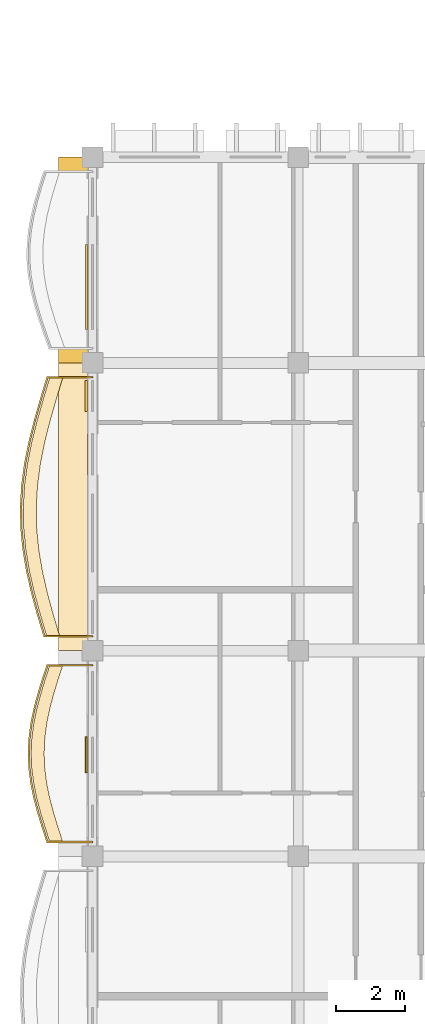
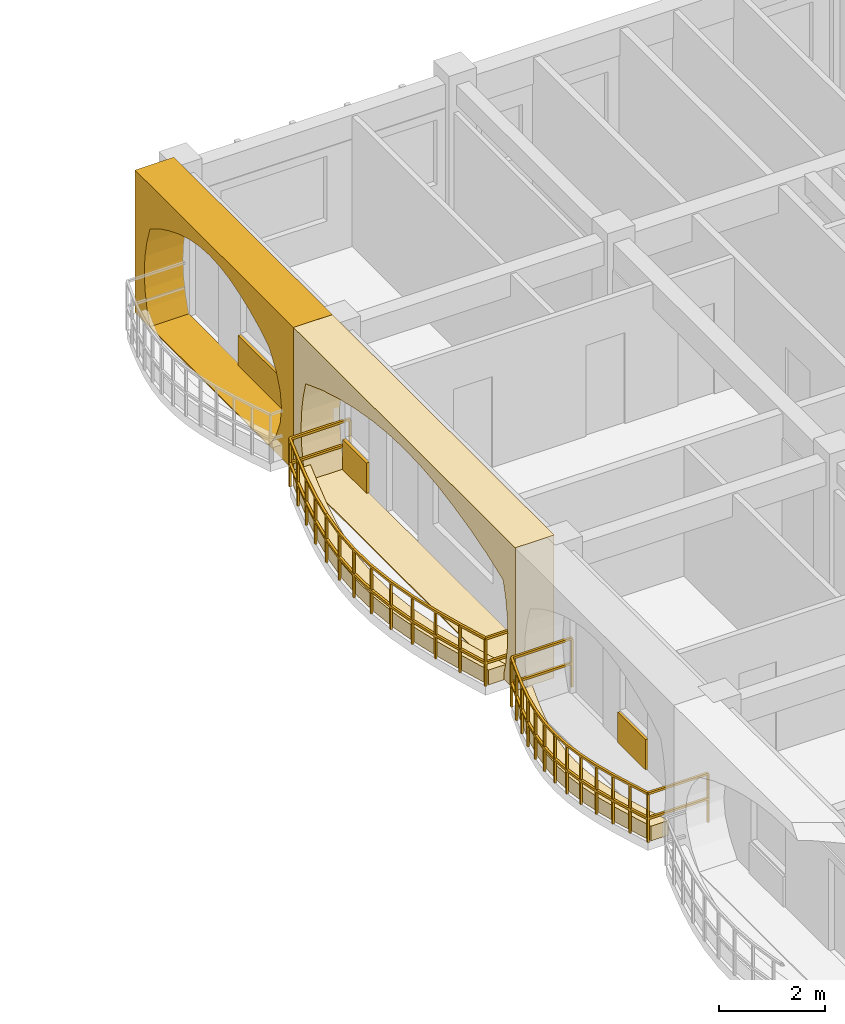
# One storey, part 46 of 70: 7 coverings, 2 railings.
"""IFC4 building model written with IfcOpenShell, lengths in metres."""

from ifc_helpers import new_model, si_unit, direction, frame, origin, origin_2d, place, context, subcontext, project, spatial, polyline, rectangle, outline, extrude, material, layer, layer_set, type_object, element, save


model = new_model("IFC4")

# Units and contexts
model_context = context("Model", 3, precision=1e-05, world=origin(), true_north=direction((0.0, 1.0)))
body_context = subcontext(model_context, "Body", "Model", "MODEL_VIEW")
ifc_project = project(units=[si_unit("LENGTHUNIT", "METRE"), si_unit("AREAUNIT", "SQUARE_METRE"), si_unit("VOLUMEUNIT", "CUBIC_METRE"), si_unit("PLANEANGLEUNIT", "RADIAN"), si_unit("MASSUNIT", "GRAM", prefix="KILO"), si_unit("THERMODYNAMICTEMPERATUREUNIT", "KELVIN")], contexts=[model_context])

# Site, building, storey
site_placement = place(None, origin())
site = spatial("IfcSite", under=ifc_project, at=site_placement, CompositionType="ELEMENT")
building_placement = place(site_placement, origin())
building = spatial("IfcBuilding", under=site, at=building_placement, Name="Thalorik Housing Commons", CompositionType="ELEMENT")
storey_placement = place(building_placement, frame((0.0, 0.0, 14.699951171875)))
storey = spatial("IfcBuildingStorey", under=building, at=storey_placement, Name="L04", CompositionType="ELEMENT", Elevation=14.699951171875)

# Coverings
ifc_material_1 = material(Name="Cobalt blue glazed ceramic facade tile panel", Category="masonry")
ifc_layer_1 = layer(ifc_material_1, 0.06005859375, Name="Cobalt blue glazed ceramic facade tile panel", Category="masonry")
ifc_layer_set_1 = layer_set([ifc_layer_1], Name="Cobalt blue glazed ceramic facade tile panel")
covering_type_1 = type_object("IfcCoveringType", Name="ARC-CLD-BLU-60", PredefinedType="CLADDING", material=ifc_layer_set_1)
covering_1_placement = place(storey_placement, frame((8.219970703125, 53.81005859375, 0.05029296875), z_axis=(0.0, 0.0, 1.0), x_axis=(0.0, -1.0, 0.0)))
element("IfcCovering", 1, at=covering_1_placement, inside=storey, type_object=covering_type_1, Name="L04 De Stijl Recessed Window Spandrel 3833", PredefinedType="CLADDING", context=body_context, shape_type="SweptSolid", body=[
    extrude(rectangle(XDim=2.47998046875, YDim=0.06005859375, at=origin_2d()), origin(), (0.0, 0.0, 1.0), 0.699951171875),
])
ifc_material_2 = material(Name="Precast concrete C40/50", Category="concrete")
ifc_layer_2 = layer(ifc_material_2, 0.85009765625, Name="Precast concrete C40/50", Category="concrete")
ifc_layer_set_2 = layer_set([ifc_layer_2], Name="Precast concrete C40/50")
covering_type_2 = type_object("IfcCoveringType", Name="ARC-CLD-CUSH-850", PredefinedType="CLADDING", material=ifc_layer_set_2)
covering_2_placement = place(storey_placement, frame((7.830078125, 54.60009765625, 0.0), z_axis=(0.0, 0.0, 1.0), x_axis=(0.0, -1.0, 0.0)))
element("IfcCovering", 2, at=covering_2_placement, inside=storey, type_object=covering_type_2, Name="L04 White Precast Curved Cushion Bay Frame 3832", PredefinedType="CLADDING", context=body_context, shape_type="SweptSolid", body=[
    extrude(outline(polyline([(-3.0, 0.0), (3.0, 0.0), (3.0, 3.300048828125), (-3.0, 3.300048828125), (-3.0, 0.0)]), holes=[polyline([(2.080078125, 0.02490234375), (2.341064453125, 0.40087890625), (2.497802734375, 0.776611328125), (2.550048828125, 1.152587890625), (2.497802734375, 1.5283203125), (2.341064453125, 1.904296875), (2.080078125, 2.280029296875), (1.7041015625, 2.51123046875), (1.328369140625, 2.693115234375), (0.952392578125, 2.840087890625), (0.57666015625, 2.94970703125), (0.20068359375, 3.01708984375), (-0.175048828125, 3.0400390625), (-0.55078125, 3.01708984375), (-0.9267578125, 2.94970703125), (-1.302490234375, 2.840087890625), (-1.67822265625, 2.693115234375), (-2.05419921875, 2.51123046875), (-2.429931640625, 2.280029296875), (-2.55029296875, 1.904296875), (-2.62255859375, 1.5283203125), (-2.646484375, 1.152587890625), (-2.62255859375, 0.776611328125), (-2.55029296875, 0.40087890625), (-2.429931640625, 0.02490234375), (2.080078125, 0.02490234375)])]), frame((0.0, 0.425048828125, 0.0), z_axis=(0.0, -1.0, 0.0), x_axis=(1.0, 0.0, 0.0)), (0.0, 0.0, 1.0), 0.85009765625),
])
covering_3_placement = place(storey_placement, frame((7.830078125, 47.39990234375, 0.0), z_axis=(0.0, 0.0, 1.0), x_axis=(0.0, -1.0, 0.0)))
element("IfcCovering", 3, at=covering_3_placement, inside=storey, type_object=covering_type_2, Name="L04 White Precast Curved Cushion Bay Frame 3834", PredefinedType="CLADDING", context=body_context, shape_type="SweptSolid", body=[
    extrude(outline(polyline([(-4.199951171875, 0.0), (4.199951171875, 0.0), (4.199951171875, 3.300048828125), (-4.199951171875, 3.300048828125), (-4.199951171875, 0.0)]), holes=[polyline([(3.739990234375, 0.02490234375), (3.837158203125, 0.40087890625), (3.8955078125, 0.776611328125), (3.914794921875, 1.152587890625), (3.8955078125, 1.5283203125), (3.837158203125, 1.904296875), (3.739990234375, 2.280029296875), (3.1171875, 2.51123046875), (2.494140625, 2.693115234375), (1.871337890625, 2.840087890625), (1.248291015625, 2.94970703125), (0.62548828125, 3.01708984375), (0.00244140625, 3.0400390625), (-0.620361328125, 3.01708984375), (-1.243408203125, 2.94970703125), (-1.8662109375, 2.840087890625), (-2.4892578125, 2.693115234375), (-3.112060546875, 2.51123046875), (-3.735107421875, 2.280029296875), (-3.833251953125, 1.904296875), (-3.89208984375, 1.5283203125), (-3.91162109375, 1.152587890625), (-3.89208984375, 0.776611328125), (-3.833251953125, 0.40087890625), (-3.735107421875, 0.02490234375), (3.739990234375, 0.02490234375)])]), frame((0.0, 0.425048828125, 0.0), z_axis=(0.0, -1.0, 0.0), x_axis=(1.0, 0.0, 0.0)), (0.0, 0.0, 1.0), 0.85009765625),
])
ifc_material_3 = material(Name="Terracotta red mineral fibre-cement panel", Category="masonry")
ifc_layer_3 = layer(ifc_material_3, 0.054931640625, Name="Terracotta red mineral fibre-cement panel", Category="masonry")
ifc_layer_set_3 = layer_set([ifc_layer_3], Name="Terracotta red mineral fibre-cement panel")
covering_type_3 = type_object("IfcCoveringType", Name="ARC-CLD-RED-55", PredefinedType="CLADDING", material=ifc_layer_set_3)
covering_4_placement = place(storey_placement, frame((8.222412109375, 40.1650390625, 0.05029296875), z_axis=(0.0, 0.0, 1.0), x_axis=(0.0, -1.0, 0.0)))
element("IfcCovering", 4, at=covering_4_placement, inside=storey, type_object=covering_type_3, Name="L04 De Stijl Recessed Window Spandrel 3837", PredefinedType="CLADDING", context=body_context, shape_type="SweptSolid", body=[
    extrude(rectangle(XDim=1.050048828125, YDim=0.054931640625, at=origin_2d()), origin(), (0.0, 0.0, 1.0), 0.699951171875),
])
ifc_material_4 = material(Name="Mineral ochre architectural terracotta panel", Category="masonry")
ifc_layer_4 = layer(ifc_material_4, 0.06494140625, Name="Mineral ochre architectural terracotta panel", Category="masonry")
ifc_layer_set_4 = layer_set([ifc_layer_4], Name="Mineral ochre architectural terracotta panel")
covering_type_4 = type_object("IfcCoveringType", Name="ARC-CLD-YEL-65", PredefinedType="CLADDING", material=ifc_layer_set_4)
covering_5_placement = place(storey_placement, frame((8.217529296875, 50.635009765625, 0.05029296875), z_axis=(0.0, 0.0, 1.0), x_axis=(0.0, -1.0, 0.0)))
element("IfcCovering", 5, at=covering_5_placement, inside=storey, type_object=covering_type_4, Name="L04 De Stijl Recessed Window Spandrel 3835", PredefinedType="CLADDING", context=body_context, shape_type="SweptSolid", body=[
    extrude(rectangle(XDim=0.89990234375, YDim=0.06494140625, at=origin_2d()), origin(), (0.0, 0.0, 1.0), 0.699951171875),
])
ifc_material_5 = material(Name="Planted vegetated substrate and terracotta trough", Category="masonry")
ifc_layer_5 = layer(ifc_material_5, 0.340087890625, Name="Planted vegetated substrate and terracotta trough", Category="masonry")
ifc_layer_set_5 = layer_set([ifc_layer_5], Name="Planted vegetated substrate and terracotta trough")
covering_type_5 = type_object("IfcCoveringType", Name="ARC-COV-PLANTER", PredefinedType="USERDEFINED", material=ifc_layer_set_5)
covering_6_placement = place(storey_placement, origin())
element("IfcCovering", 6, at=covering_6_placement, inside=storey, type_object=covering_type_5, Name="L04 Balcony Slab-Edge Planted Trough 5589", ObjectType="PLANTER", PredefinedType="USERDEFINED", context=body_context, shape_type="SweptSolid", body=[
    extrude(outline(polyline([(7.152099609375, 42.780029296875), (7.012939453125, 42.35009765625), (6.882080078125, 41.919921875), (6.768798828125, 41.489990234375), (6.681640625, 41.06005859375), (6.626708984375, 40.6298828125), (6.60791015625, 40.199951171875), (6.626708984375, 39.77001953125), (6.681640625, 39.340087890625), (6.768798828125, 38.909912109375), (6.882080078125, 38.47998046875), (7.012939453125, 38.050048828125), (7.152099609375, 37.6201171875), (7.5322265625, 37.6201171875), (7.39306640625, 38.050048828125), (7.261962890625, 38.47998046875), (7.14892578125, 38.909912109375), (7.061767578125, 39.340087890625), (7.0068359375, 39.77001953125), (6.988037109375, 40.199951171875), (7.0068359375, 40.6298828125), (7.061767578125, 41.06005859375), (7.14892578125, 41.489990234375), (7.261962890625, 41.919921875), (7.39306640625, 42.35009765625), (7.5322265625, 42.780029296875), (7.152099609375, 42.780029296875)])), origin(), (0.0, 0.0, 1.0), 0.340087890625),
])
covering_7_placement = place(storey_placement, origin())
element("IfcCovering", 7, at=covering_7_placement, inside=storey, type_object=covering_type_5, Name="L04 Balcony Slab-Edge Planted Trough 5590", ObjectType="PLANTER", PredefinedType="USERDEFINED", context=body_context, shape_type="SweptSolid", body=[
    extrude(outline(polyline([(7.155029296875, 51.179931640625), (6.9658203125, 50.550048828125), (6.78564453125, 49.919921875), (6.627197265625, 49.2900390625), (6.5009765625, 48.659912109375), (6.41650390625, 48.030029296875), (6.379150390625, 47.39990234375), (6.3916015625, 46.77001953125), (6.45361328125, 46.139892578125), (6.560302734375, 45.510009765625), (6.70458984375, 44.8798828125), (6.87646484375, 44.25), (7.064208984375, 43.6201171875), (7.444091796875, 43.6201171875), (7.256591796875, 44.25), (7.08447265625, 44.8798828125), (6.940185546875, 45.510009765625), (6.83349609375, 46.139892578125), (6.771728515625, 46.77001953125), (6.759033203125, 47.39990234375), (6.79638671875, 48.030029296875), (6.881103515625, 48.659912109375), (7.007080078125, 49.2900390625), (7.165771484375, 49.919921875), (7.345703125, 50.550048828125), (7.534912109375, 51.179931640625), (7.155029296875, 51.179931640625)])), origin(), (0.0, 0.0, 1.0), 0.340087890625),
])

# Railings
ifc_material_6 = material(Name="Steel S355", Category="steel")
railing_type_1 = type_object("IfcRailingType", Name="ARC-RL-BAL-112", PredefinedType="BALUSTRADE", material=ifc_material_6)
railing_1_placement = place(storey_placement, frame((8.39990234375, 51.179931640625, 0.0)))
element("IfcRailing", 8, at=railing_1_placement, inside=storey, type_object=railing_type_1, Name="L04 Cushion Balcony Guardrail 274", PredefinedType="BALUSTRADE", context=body_context, shape_type="SweptSolid", body=[
    extrude(rectangle(XDim=0.050048828125, YDim=0.050048828125, at=origin_2d()), frame((0.0, 0.0, 1.09521484375), z_axis=(-1.0, 0.0, 0.0), x_axis=(0.0, -1.0, 0.0)), (0.0, 0.0, 1.0), 1.31494140625),
    extrude(rectangle(XDim=0.050048828125, YDim=0.050048828125, at=origin_2d()), frame((0.0, 0.0, 0.53515625), z_axis=(-1.0, 0.0, 0.0), x_axis=(0.0, -1.0, 0.0)), (0.0, 0.0, 1.0), 1.31494140625),
    extrude(rectangle(XDim=0.050048828125, YDim=0.050048828125, at=origin_2d()), frame((-1.31494140625, 0.0, 1.09521484375), z_axis=(-0.287688427839, -0.957724056546, 0.0), x_axis=(0.957724056546, -0.287688427839, 0.0)), (0.0, 0.0, 1.0), 0.65771484375),
    extrude(rectangle(XDim=0.050048828125, YDim=0.050048828125, at=origin_2d()), frame((-1.31494140625, 0.0, 0.53515625), z_axis=(-0.287688427839, -0.957724056546, 0.0), x_axis=(0.957724056546, -0.287688427839, 0.0)), (0.0, 0.0, 1.0), 0.65771484375),
    extrude(rectangle(XDim=0.050048828125, YDim=0.050048828125, at=origin_2d()), frame((-1.504150390625, -0.6298828125, 1.09521484375), z_axis=(-0.274573508273, -0.96156611242, 0.0), x_axis=(0.96156611242, -0.274573508273, 0.0)), (0.0, 0.0, 1.0), 0.6552734375),
    extrude(rectangle(XDim=0.050048828125, YDim=0.050048828125, at=origin_2d()), frame((-1.504150390625, -0.6298828125, 0.53515625), z_axis=(-0.274573508273, -0.96156611242, 0.0), x_axis=(0.96156611242, -0.274573508273, 0.0)), (0.0, 0.0, 1.0), 0.6552734375),
    extrude(rectangle(XDim=0.050048828125, YDim=0.050048828125, at=origin_2d()), frame((-1.68408203125, -1.260009765625, 1.09521484375), z_axis=(-0.244303938251, -0.969698708752, 0.0), x_axis=(0.969698708752, -0.244303938251, 0.0)), (0.0, 0.0, 1.0), 0.649658203125),
    extrude(rectangle(XDim=0.050048828125, YDim=0.050048828125, at=origin_2d()), frame((-1.68408203125, -1.260009765625, 0.53515625), z_axis=(-0.244303938251, -0.969698708752, 0.0), x_axis=(0.969698708752, -0.244303938251, 0.0)), (0.0, 0.0, 1.0), 0.649658203125),
    extrude(rectangle(XDim=0.050048828125, YDim=0.050048828125, at=origin_2d()), frame((-1.8427734375, -1.889892578125, 1.09521484375), z_axis=(-0.196408357284, -0.980522185975, 0.0), x_axis=(0.980522185975, -0.196408357284, 0.0)), (0.0, 0.0, 1.0), 0.642578125),
    extrude(rectangle(XDim=0.050048828125, YDim=0.050048828125, at=origin_2d()), frame((-1.8427734375, -1.889892578125, 0.53515625), z_axis=(-0.196408357284, -0.980522185975, 0.0), x_axis=(0.980522185975, -0.196408357284, 0.0)), (0.0, 0.0, 1.0), 0.642578125),
    extrude(rectangle(XDim=0.050048828125, YDim=0.050048828125, at=origin_2d()), frame((-1.968994140625, -2.52001953125, 1.09521484375), z_axis=(-0.132918576879, -0.991126960546, 0.0), x_axis=(0.991126960546, -0.132918576879, 0.0)), (0.0, 0.0, 1.0), 0.635498046875),
    extrude(rectangle(XDim=0.050048828125, YDim=0.050048828125, at=origin_2d()), frame((-1.968994140625, -2.52001953125, 0.53515625), z_axis=(-0.132918576879, -0.991126960546, 0.0), x_axis=(0.991126960546, -0.132918576879, 0.0)), (0.0, 0.0, 1.0), 0.635498046875),
    extrude(rectangle(XDim=0.050048828125, YDim=0.050048828125, at=origin_2d()), frame((-2.053466796875, -3.14990234375, 1.09521484375), z_axis=(-0.059175467754, -0.998247596549, 0.0), x_axis=(0.998247596549, -0.059175467754, 0.0)), (0.0, 0.0, 1.0), 0.63134765625),
    extrude(rectangle(XDim=0.050048828125, YDim=0.050048828125, at=origin_2d()), frame((-2.053466796875, -3.14990234375, 0.53515625), z_axis=(-0.059175467754, -0.998247596549, 0.0), x_axis=(0.998247596549, -0.059175467754, 0.0)), (0.0, 0.0, 1.0), 0.63134765625),
    extrude(rectangle(XDim=0.050048828125, YDim=0.050048828125, at=origin_2d()), frame((-2.0908203125, -3.780029296875, 1.09521484375), z_axis=(0.02015094626, -0.999796949068, 0.0), x_axis=(0.999796949068, 0.02015094626, 0.0)), (0.0, 0.0, 1.0), 0.630126953125),
    extrude(rectangle(XDim=0.050048828125, YDim=0.050048828125, at=origin_2d()), frame((-2.0908203125, -3.780029296875, 0.53515625), z_axis=(0.02015094626, -0.999796949068, 0.0), x_axis=(0.999796949068, 0.02015094626, 0.0)), (0.0, 0.0, 1.0), 0.630126953125),
    extrude(rectangle(XDim=0.050048828125, YDim=0.050048828125, at=origin_2d()), frame((-2.078125, -4.409912109375, 1.09521484375), z_axis=(0.097556446466, -0.995229993395, 0.0), x_axis=(0.995229993395, 0.097556446466, 0.0)), (0.0, 0.0, 1.0), 0.633056640625),
    extrude(rectangle(XDim=0.050048828125, YDim=0.050048828125, at=origin_2d()), frame((-2.078125, -4.409912109375, 0.53515625), z_axis=(0.097556446466, -0.995229993395, 0.0), x_axis=(0.995229993395, 0.097556446466, 0.0)), (0.0, 0.0, 1.0), 0.633056640625),
    extrude(rectangle(XDim=0.050048828125, YDim=0.050048828125, at=origin_2d()), frame((-2.016357421875, -5.0400390625, 1.09521484375), z_axis=(0.167001191921, -0.985956693723, 0.0), x_axis=(0.985956693723, 0.167001191921, 0.0)), (0.0, 0.0, 1.0), 0.638916015625),
    extrude(rectangle(XDim=0.050048828125, YDim=0.050048828125, at=origin_2d()), frame((-2.016357421875, -5.0400390625, 0.53515625), z_axis=(0.167001191921, -0.985956693723, 0.0), x_axis=(0.985956693723, 0.167001191921, 0.0)), (0.0, 0.0, 1.0), 0.638916015625),
    extrude(rectangle(XDim=0.050048828125, YDim=0.050048828125, at=origin_2d()), frame((-1.90966796875, -5.669921875, 1.09521484375), z_axis=(0.223204214708, -0.974771705856, 0.0), x_axis=(0.974771705856, 0.223204214708, 0.0)), (0.0, 0.0, 1.0), 0.646484375),
    extrude(rectangle(XDim=0.050048828125, YDim=0.050048828125, at=origin_2d()), frame((-1.90966796875, -5.669921875, 0.53515625), z_axis=(0.223204214708, -0.974771705856, 0.0), x_axis=(0.974771705856, 0.223204214708, 0.0)), (0.0, 0.0, 1.0), 0.646484375),
    extrude(rectangle(XDim=0.050048828125, YDim=0.050048828125, at=origin_2d()), frame((-1.765380859375, -6.300048828125, 1.09521484375), z_axis=(0.263243963126, -0.964729296683, 0.0), x_axis=(0.964729296683, 0.263243963126, 0.0)), (0.0, 0.0, 1.0), 0.65283203125),
    extrude(rectangle(XDim=0.050048828125, YDim=0.050048828125, at=origin_2d()), frame((-1.765380859375, -6.300048828125, 0.53515625), z_axis=(0.263243963126, -0.964729296683, 0.0), x_axis=(0.964729296683, 0.263243963126, 0.0)), (0.0, 0.0, 1.0), 0.65283203125),
    extrude(rectangle(XDim=0.050048828125, YDim=0.050048828125, at=origin_2d()), frame((-1.593505859375, -6.929931640625, 1.09521484375), z_axis=(0.285643540825, -0.958335936708, 0.0), x_axis=(0.958335936708, 0.285643540825, 0.0)), (0.0, 0.0, 1.0), 0.6572265625),
    extrude(rectangle(XDim=0.050048828125, YDim=0.050048828125, at=origin_2d()), frame((-1.593505859375, -6.929931640625, 0.53515625), z_axis=(0.285643540825, -0.958335936708, 0.0), x_axis=(0.958335936708, 0.285643540825, 0.0)), (0.0, 0.0, 1.0), 0.6572265625),
    extrude(rectangle(XDim=0.050048828125, YDim=0.050048828125, at=origin_2d()), frame((-1.40576171875, -7.559814453125, 1.09521484375), z_axis=(1.0, 0.0, 0.0), x_axis=(0.0, 1.0, 0.0)), (0.0, 0.0, 1.0), 1.40576171875),
    extrude(rectangle(XDim=0.050048828125, YDim=0.050048828125, at=origin_2d()), frame((-1.40576171875, -7.559814453125, 0.53515625), z_axis=(1.0, 0.0, 0.0), x_axis=(0.0, 1.0, 0.0)), (0.0, 0.0, 1.0), 1.40576171875),
    extrude(rectangle(XDim=0.0419921875, YDim=0.0419921875, at=origin_2d()), origin(), (0.0, 0.0, 1.0), 1.070068359375),
    extrude(rectangle(XDim=0.0419921875, YDim=0.0419921875, at=origin_2d()), frame((-1.31494140625, 0.0, 0.0)), (0.0, 0.0, 1.0), 1.070068359375),
    extrude(rectangle(XDim=0.0419921875, YDim=0.0419921875, at=origin_2d()), frame((-1.504150390625, -0.6298828125, 0.0)), (0.0, 0.0, 1.0), 1.070068359375),
    extrude(rectangle(XDim=0.0419921875, YDim=0.0419921875, at=origin_2d()), frame((-1.68408203125, -1.260009765625, 0.0)), (0.0, 0.0, 1.0), 1.070068359375),
    extrude(rectangle(XDim=0.0419921875, YDim=0.0419921875, at=origin_2d()), frame((-1.8427734375, -1.889892578125, 0.0)), (0.0, 0.0, 1.0), 1.070068359375),
    extrude(rectangle(XDim=0.0419921875, YDim=0.0419921875, at=origin_2d()), frame((-1.968994140625, -2.52001953125, 0.0)), (0.0, 0.0, 1.0), 1.070068359375),
    extrude(rectangle(XDim=0.0419921875, YDim=0.0419921875, at=origin_2d()), frame((-2.053466796875, -3.14990234375, 0.0)), (0.0, 0.0, 1.0), 1.070068359375),
    extrude(rectangle(XDim=0.0419921875, YDim=0.0419921875, at=origin_2d()), frame((-2.0908203125, -3.780029296875, 0.0)), (0.0, 0.0, 1.0), 1.070068359375),
    extrude(rectangle(XDim=0.0419921875, YDim=0.0419921875, at=origin_2d()), frame((-2.078125, -4.409912109375, 0.0)), (0.0, 0.0, 1.0), 1.070068359375),
    extrude(rectangle(XDim=0.0419921875, YDim=0.0419921875, at=origin_2d()), frame((-2.016357421875, -5.0400390625, 0.0)), (0.0, 0.0, 1.0), 1.070068359375),
    extrude(rectangle(XDim=0.0419921875, YDim=0.0419921875, at=origin_2d()), frame((-1.90966796875, -5.669921875, 0.0)), (0.0, 0.0, 1.0), 1.070068359375),
    extrude(rectangle(XDim=0.0419921875, YDim=0.0419921875, at=origin_2d()), frame((-1.765380859375, -6.300048828125, 0.0)), (0.0, 0.0, 1.0), 1.070068359375),
    extrude(rectangle(XDim=0.0419921875, YDim=0.0419921875, at=origin_2d()), frame((-1.593505859375, -6.929931640625, 0.0)), (0.0, 0.0, 1.0), 1.070068359375),
    extrude(rectangle(XDim=0.0419921875, YDim=0.0419921875, at=origin_2d()), frame((-1.40576171875, -7.559814453125, 0.0)), (0.0, 0.0, 1.0), 1.070068359375),
    extrude(rectangle(XDim=0.0419921875, YDim=0.0419921875, at=origin_2d()), frame((0.0, -7.559814453125, 0.0)), (0.0, 0.0, 1.0), 1.070068359375),
])
railing_type_2 = type_object("IfcRailingType", Name="ARC-RL-BAL-115", PredefinedType="BALUSTRADE", material=ifc_material_6)
railing_2_placement = place(storey_placement, frame((8.39990234375, 42.780029296875, 0.0)))
element("IfcRailing", 9, at=railing_2_placement, inside=storey, type_object=railing_type_2, Name="L04 Cushion Balcony Guardrail 273", PredefinedType="BALUSTRADE", context=body_context, shape_type="SweptSolid", body=[
    extrude(rectangle(XDim=0.050048828125, YDim=0.050048828125, at=origin_2d()), frame((0.0, 0.0, 1.125), z_axis=(-1.0, 0.0, 0.0), x_axis=(0.0, -1.0, 0.0)), (0.0, 0.0, 1.0), 1.317626953125),
    extrude(rectangle(XDim=0.050048828125, YDim=0.050048828125, at=origin_2d()), frame((0.0, 0.0, 0.5498046875), z_axis=(-1.0, 0.0, 0.0), x_axis=(0.0, -1.0, 0.0)), (0.0, 0.0, 1.0), 1.317626953125),
    extrude(rectangle(XDim=0.050048828125, YDim=0.050048828125, at=origin_2d()), frame((-1.317626953125, 0.0, 1.125), z_axis=(-0.30794974254, -0.951402625637, 0.0), x_axis=(0.951402625637, -0.30794974254, 0.0)), (0.0, 0.0, 1.0), 0.451904296875),
    extrude(rectangle(XDim=0.050048828125, YDim=0.050048828125, at=origin_2d()), frame((-1.317626953125, 0.0, 0.5498046875), z_axis=(-0.30794974254, -0.951402625637, 0.0), x_axis=(0.951402625637, -0.30794974254, 0.0)), (0.0, 0.0, 1.0), 0.451904296875),
    extrude(rectangle(XDim=0.050048828125, YDim=0.050048828125, at=origin_2d()), frame((-1.456787109375, -0.429931640625, 1.125), z_axis=(-0.291528839554, -0.956562039655, 0.0), x_axis=(0.956562039655, -0.291528839554, 0.0)), (0.0, 0.0, 1.0), 0.44970703125),
    extrude(rectangle(XDim=0.050048828125, YDim=0.050048828125, at=origin_2d()), frame((-1.456787109375, -0.429931640625, 0.5498046875), z_axis=(-0.291528839554, -0.956562039655, 0.0), x_axis=(0.956562039655, -0.291528839554, 0.0)), (0.0, 0.0, 1.0), 0.44970703125),
    extrude(rectangle(XDim=0.050048828125, YDim=0.050048828125, at=origin_2d()), frame((-1.587890625, -0.860107421875, 1.125), z_axis=(-0.254277029817, -0.967131424423, 0.0), x_axis=(0.967131424423, -0.254277029817, 0.0)), (0.0, 0.0, 1.0), 0.444580078125),
    extrude(rectangle(XDim=0.050048828125, YDim=0.050048828125, at=origin_2d()), frame((-1.587890625, -0.860107421875, 0.5498046875), z_axis=(-0.254277029817, -0.967131424423, 0.0), x_axis=(0.967131424423, -0.254277029817, 0.0)), (0.0, 0.0, 1.0), 0.444580078125),
    extrude(rectangle(XDim=0.050048828125, YDim=0.050048828125, at=origin_2d()), frame((-1.700927734375, -1.2900390625, 1.125), z_axis=(-0.198684099639, -0.980063583933, 0.0), x_axis=(0.980063583933, -0.198684099639, 0.0)), (0.0, 0.0, 1.0), 0.438720703125),
    extrude(rectangle(XDim=0.050048828125, YDim=0.050048828125, at=origin_2d()), frame((-1.700927734375, -1.2900390625, 0.5498046875), z_axis=(-0.198684099639, -0.980063583933, 0.0), x_axis=(0.980063583933, -0.198684099639, 0.0)), (0.0, 0.0, 1.0), 0.438720703125),
    extrude(rectangle(XDim=0.050048828125, YDim=0.050048828125, at=origin_2d()), frame((-1.7880859375, -1.719970703125, 1.125), z_axis=(-0.126667244424, -0.991945265219, 0.0), x_axis=(0.991945265219, -0.126667244424, 0.0)), (0.0, 0.0, 1.0), 0.43359375),
    extrude(rectangle(XDim=0.050048828125, YDim=0.050048828125, at=origin_2d()), frame((-1.7880859375, -1.719970703125, 0.5498046875), z_axis=(-0.126667244424, -0.991945265219, 0.0), x_axis=(0.991945265219, -0.126667244424, 0.0)), (0.0, 0.0, 1.0), 0.43359375),
    extrude(rectangle(XDim=0.050048828125, YDim=0.050048828125, at=origin_2d()), frame((-1.843017578125, -2.150146484375, 1.125), z_axis=(-0.043683417173, -0.999045423924, 0.0), x_axis=(0.999045423924, -0.043683417173, 0.0)), (0.0, 0.0, 1.0), 0.430419921875),
    extrude(rectangle(XDim=0.050048828125, YDim=0.050048828125, at=origin_2d()), frame((-1.843017578125, -2.150146484375, 0.5498046875), z_axis=(-0.043683417173, -0.999045423924, 0.0), x_axis=(0.999045423924, -0.043683417173, 0.0)), (0.0, 0.0, 1.0), 0.430419921875),
    extrude(rectangle(XDim=0.050048828125, YDim=0.050048828125, at=origin_2d()), frame((-1.86181640625, -2.580078125, 1.125), z_axis=(0.043683417173, -0.999045423924, 0.0), x_axis=(0.999045423924, 0.043683417173, 0.0)), (0.0, 0.0, 1.0), 0.430419921875),
    extrude(rectangle(XDim=0.050048828125, YDim=0.050048828125, at=origin_2d()), frame((-1.86181640625, -2.580078125, 0.5498046875), z_axis=(0.043683417173, -0.999045423924, 0.0), x_axis=(0.999045423924, 0.043683417173, 0.0)), (0.0, 0.0, 1.0), 0.430419921875),
    extrude(rectangle(XDim=0.050048828125, YDim=0.050048828125, at=origin_2d()), frame((-1.843017578125, -3.010009765625, 1.125), z_axis=(0.126738018539, -0.991936225096, 0.0), x_axis=(0.991936225096, 0.126738018539, 0.0)), (0.0, 0.0, 1.0), 0.433349609375),
    extrude(rectangle(XDim=0.050048828125, YDim=0.050048828125, at=origin_2d()), frame((-1.843017578125, -3.010009765625, 0.5498046875), z_axis=(0.126738018539, -0.991936225096, 0.0), x_axis=(0.991936225096, 0.126738018539, 0.0)), (0.0, 0.0, 1.0), 0.433349609375),
    extrude(rectangle(XDim=0.050048828125, YDim=0.050048828125, at=origin_2d()), frame((-1.7880859375, -3.43994140625, 1.125), z_axis=(0.198575786708, -0.980085535519, 0.0), x_axis=(0.980085535519, 0.198575786708, 0.0)), (0.0, 0.0, 1.0), 0.43896484375),
    extrude(rectangle(XDim=0.050048828125, YDim=0.050048828125, at=origin_2d()), frame((-1.7880859375, -3.43994140625, 0.5498046875), z_axis=(0.198575786708, -0.980085535519, 0.0), x_axis=(0.980085535519, 0.198575786708, 0.0)), (0.0, 0.0, 1.0), 0.43896484375),
    extrude(rectangle(XDim=0.050048828125, YDim=0.050048828125, at=origin_2d()), frame((-1.700927734375, -3.8701171875, 1.125), z_axis=(0.254277029817, -0.967131424423, 0.0), x_axis=(0.967131424423, 0.254277029817, 0.0)), (0.0, 0.0, 1.0), 0.444580078125),
    extrude(rectangle(XDim=0.050048828125, YDim=0.050048828125, at=origin_2d()), frame((-1.700927734375, -3.8701171875, 0.5498046875), z_axis=(0.254277029817, -0.967131424423, 0.0), x_axis=(0.967131424423, 0.254277029817, 0.0)), (0.0, 0.0, 1.0), 0.444580078125),
    extrude(rectangle(XDim=0.050048828125, YDim=0.050048828125, at=origin_2d()), frame((-1.587890625, -4.300048828125, 1.125), z_axis=(0.2916803062, -0.956515864466, 0.0), x_axis=(0.956515864466, 0.2916803062, 0.0)), (0.0, 0.0, 1.0), 0.449462890625),
    extrude(rectangle(XDim=0.050048828125, YDim=0.050048828125, at=origin_2d()), frame((-1.587890625, -4.300048828125, 0.5498046875), z_axis=(0.2916803062, -0.956515864466, 0.0), x_axis=(0.956515864466, 0.2916803062, 0.0)), (0.0, 0.0, 1.0), 0.449462890625),
    extrude(rectangle(XDim=0.050048828125, YDim=0.050048828125, at=origin_2d()), frame((-1.456787109375, -4.72998046875, 1.125), z_axis=(0.30794974254, -0.951402625637, 0.0), x_axis=(0.951402625637, 0.30794974254, 0.0)), (0.0, 0.0, 1.0), 0.451904296875),
    extrude(rectangle(XDim=0.050048828125, YDim=0.050048828125, at=origin_2d()), frame((-1.456787109375, -4.72998046875, 0.5498046875), z_axis=(0.30794974254, -0.951402625637, 0.0), x_axis=(0.951402625637, 0.30794974254, 0.0)), (0.0, 0.0, 1.0), 0.451904296875),
    extrude(rectangle(XDim=0.050048828125, YDim=0.050048828125, at=origin_2d()), frame((-1.317626953125, -5.159912109375, 1.125), z_axis=(1.0, 0.0, 0.0), x_axis=(0.0, 1.0, 0.0)), (0.0, 0.0, 1.0), 1.317626953125),
    extrude(rectangle(XDim=0.050048828125, YDim=0.050048828125, at=origin_2d()), frame((-1.317626953125, -5.159912109375, 0.5498046875), z_axis=(1.0, 0.0, 0.0), x_axis=(0.0, 1.0, 0.0)), (0.0, 0.0, 1.0), 1.317626953125),
    extrude(rectangle(XDim=0.0419921875, YDim=0.0419921875, at=origin_2d()), origin(), (0.0, 0.0, 1.0), 1.099853515625),
    extrude(rectangle(XDim=0.0419921875, YDim=0.0419921875, at=origin_2d()), frame((-1.317626953125, 0.0, 0.0)), (0.0, 0.0, 1.0), 1.099853515625),
    extrude(rectangle(XDim=0.0419921875, YDim=0.0419921875, at=origin_2d()), frame((-1.456787109375, -0.429931640625, 0.0)), (0.0, 0.0, 1.0), 1.099853515625),
    extrude(rectangle(XDim=0.0419921875, YDim=0.0419921875, at=origin_2d()), frame((-1.587890625, -0.860107421875, 0.0)), (0.0, 0.0, 1.0), 1.099853515625),
    extrude(rectangle(XDim=0.0419921875, YDim=0.0419921875, at=origin_2d()), frame((-1.700927734375, -1.2900390625, 0.0)), (0.0, 0.0, 1.0), 1.099853515625),
    extrude(rectangle(XDim=0.0419921875, YDim=0.0419921875, at=origin_2d()), frame((-1.7880859375, -1.719970703125, 0.0)), (0.0, 0.0, 1.0), 1.099853515625),
    extrude(rectangle(XDim=0.0419921875, YDim=0.0419921875, at=origin_2d()), frame((-1.843017578125, -2.150146484375, 0.0)), (0.0, 0.0, 1.0), 1.099853515625),
    extrude(rectangle(XDim=0.0419921875, YDim=0.0419921875, at=origin_2d()), frame((-1.86181640625, -2.580078125, 0.0)), (0.0, 0.0, 1.0), 1.099853515625),
    extrude(rectangle(XDim=0.0419921875, YDim=0.0419921875, at=origin_2d()), frame((-1.843017578125, -3.010009765625, 0.0)), (0.0, 0.0, 1.0), 1.099853515625),
    extrude(rectangle(XDim=0.0419921875, YDim=0.0419921875, at=origin_2d()), frame((-1.7880859375, -3.43994140625, 0.0)), (0.0, 0.0, 1.0), 1.099853515625),
    extrude(rectangle(XDim=0.0419921875, YDim=0.0419921875, at=origin_2d()), frame((-1.700927734375, -3.8701171875, 0.0)), (0.0, 0.0, 1.0), 1.099853515625),
    extrude(rectangle(XDim=0.0419921875, YDim=0.0419921875, at=origin_2d()), frame((-1.587890625, -4.300048828125, 0.0)), (0.0, 0.0, 1.0), 1.099853515625),
    extrude(rectangle(XDim=0.0419921875, YDim=0.0419921875, at=origin_2d()), frame((-1.456787109375, -4.72998046875, 0.0)), (0.0, 0.0, 1.0), 1.099853515625),
    extrude(rectangle(XDim=0.0419921875, YDim=0.0419921875, at=origin_2d()), frame((-1.317626953125, -5.159912109375, 0.0)), (0.0, 0.0, 1.0), 1.099853515625),
    extrude(rectangle(XDim=0.0419921875, YDim=0.0419921875, at=origin_2d()), frame((0.0, -5.159912109375, 0.0)), (0.0, 0.0, 1.0), 1.099853515625),
])

save(model, "model.ifc")
